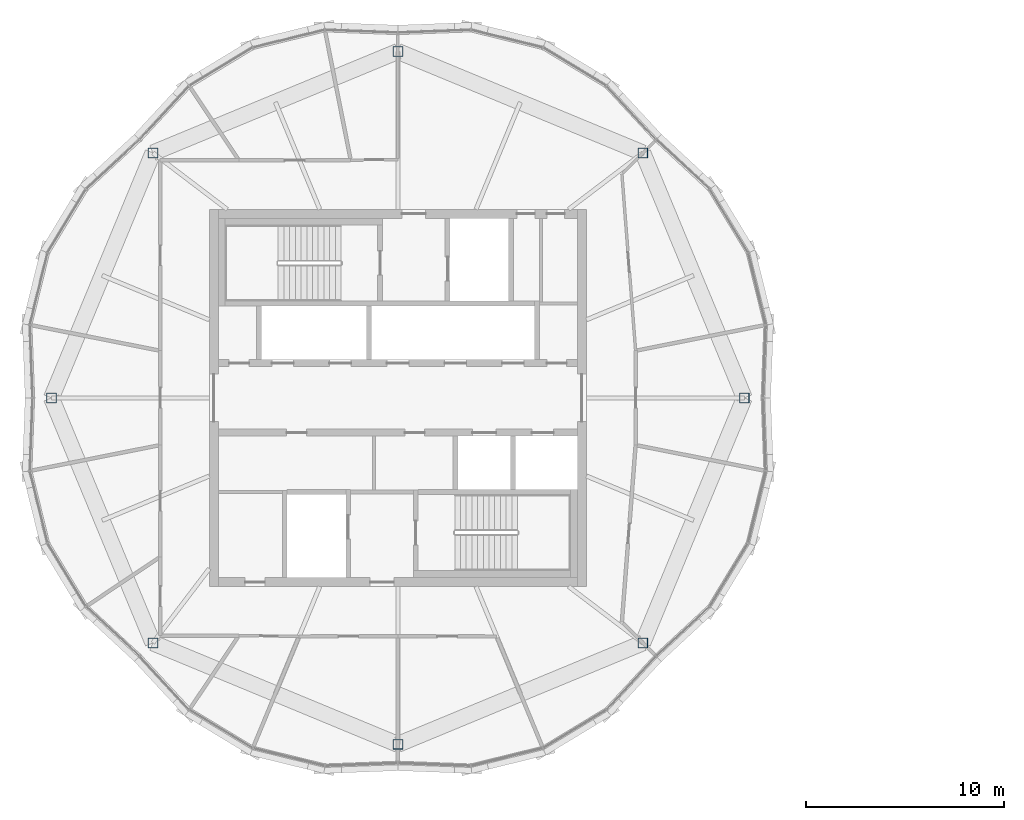
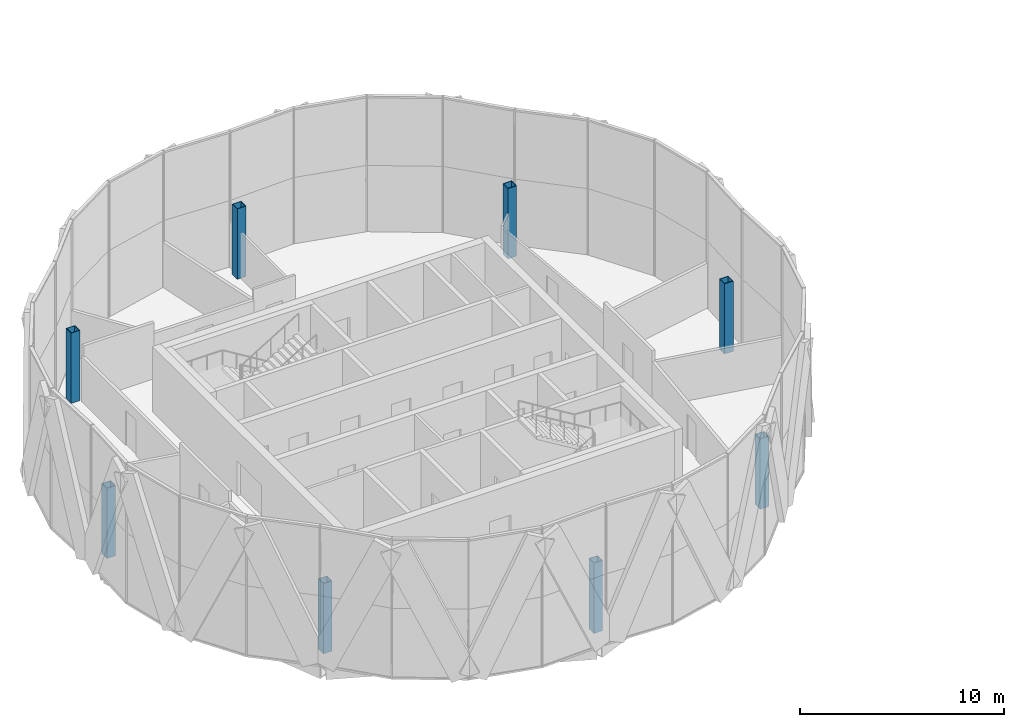
# One storey, part 1 of 22: 8 columns.
"""IFC4 building model written with IfcOpenShell, lengths in metres."""

from ifc_helpers import new_model, si_unit, direction, frame, origin, origin_2d, place, context, subcontext, project, spatial, hollow_rectangle, extrude, material, material_profile, profile_set, type_object, element, save


model = new_model("IFC4")

# Units and contexts
model_context = context("Model", 3, precision=1e-05, world=origin(), true_north=direction((0.0, 1.0)))
body_context = subcontext(model_context, "Body", "Model", "MODEL_VIEW")
ifc_project = project(units=[si_unit("LENGTHUNIT", "METRE"), si_unit("AREAUNIT", "SQUARE_METRE"), si_unit("VOLUMEUNIT", "CUBIC_METRE"), si_unit("PLANEANGLEUNIT", "RADIAN"), si_unit("MASSUNIT", "GRAM", prefix="KILO")], contexts=[model_context])

# Site, building, storey
site_placement = place(None, origin())
site = spatial("IfcSite", under=ifc_project, at=site_placement, CompositionType="ELEMENT")
building_placement = place(site_placement, origin())
building = spatial("IfcBuilding", under=site, at=building_placement, Name="Ogive Gate Towers", CompositionType="ELEMENT")
storey_placement = place(building_placement, frame((0.0, 0.0, 285.60009765625)))
storey = spatial("IfcBuildingStorey", under=building, at=storey_placement, Name="L67", CompositionType="ELEMENT", Elevation=285.60009765625)

# Columns
ifc_material = material(Name="Steel SM460", Category="steel")
ifc_material_profile = material_profile(ifc_material, hollow_rectangle(XDim=0.5, YDim=0.5, WallThickness=0.030029296875, at=origin_2d()), Name="BX 500x500x30")
ifc_profile_set = profile_set([ifc_material_profile], Name="Steel SM460")
column_type = type_object("IfcColumnType", Name="Perimeter post BX 500x500x30", PredefinedType="COLUMN", material=ifc_profile_set)
for number, where, z_axis, x_axis, name in (
    (1, (-18.544921875, 0.0, 0.0), (0.0, 0.0, 1.0), (1.0, 0.0, 0.0), "T1/L67/SCL001"),
    (2, (-23.657470703125, 12.342529296875, 0.0), (0.0, 0.0, 1.0), (1.0, 0.0, 0.0), "T1/L67/SCL002"),
    (3, (-36.0, 17.455078125, 0.0), (0.0, 0.0, 1.0), (1.0, 0.0, 0.0), "T1/L67/SCL003"),
    (4, (-48.342529296875, 12.342529296875, 0.0), (0.0, 0.0, 1.0), (1.0, 0.0, 0.0), "T1/L67/SCL004"),
    (5, (-53.455078125, 0.0, 0.0), (0.0, 0.0, 1.0), (1.0, 0.0, 0.0), "T1/L67/SCL005"),
    (6, (-48.342529296875, -12.342529296875, 0.0), (0.0, 0.0, 1.0), (1.0, 0.0, 0.0), "T1/L67/SCL006"),
    (7, (-36.0, -17.455078125, 0.0), (0.0, 0.0, 1.0), (1.0, 0.0, 0.0), "T1/L67/SCL007"),
    (8, (-23.657470703125, -12.342529296875, 0.0), (0.0, 0.0, 1.0), (1.0, 0.0, 0.0), "T1/L67/SCL008"),
):
    element("IfcColumn", number, at=place(storey_placement, frame(where, z_axis=z_axis, x_axis=x_axis)), inside=storey, type_object=column_type, Name=name, PredefinedType="COLUMN", context=body_context, shape_type="SweptSolid", body=[
        extrude(hollow_rectangle(XDim=0.5, YDim=0.5, WallThickness=0.030029296875, at=origin_2d()), origin(), (0.0, 0.0, 1.0), 4.199951171875),
    ])

save(model, "model.ifc")
